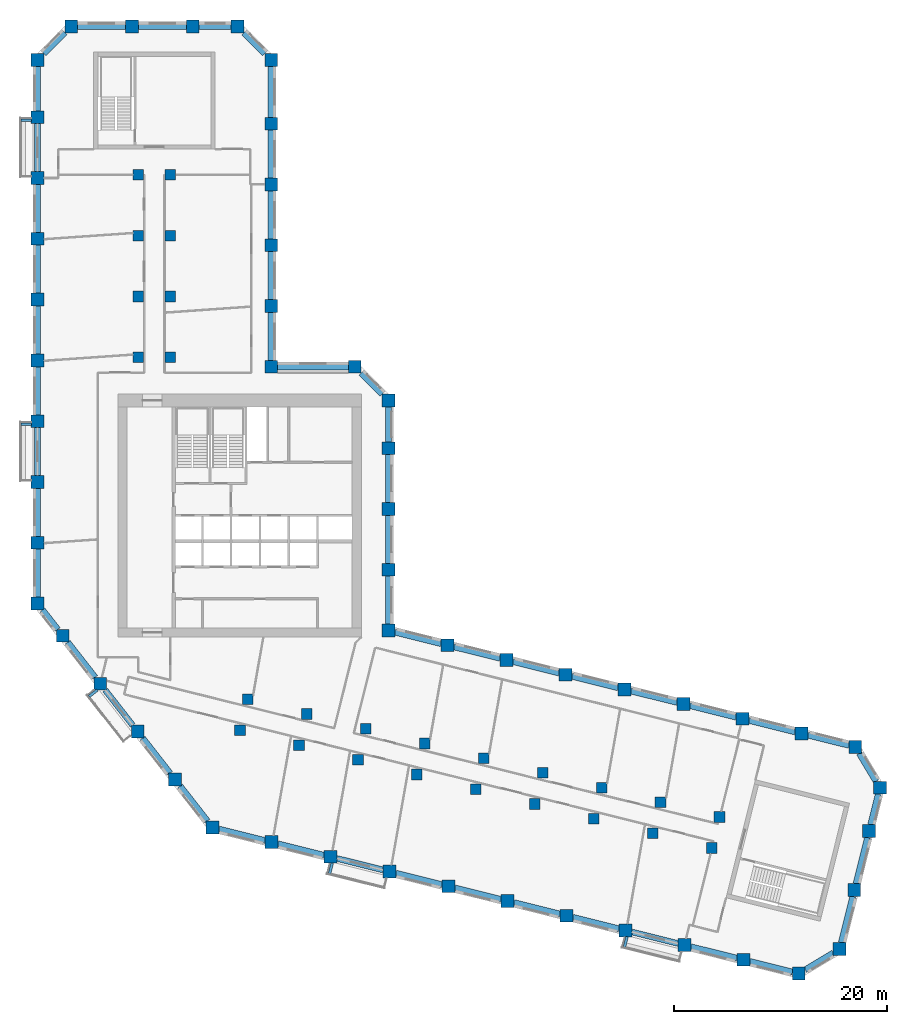
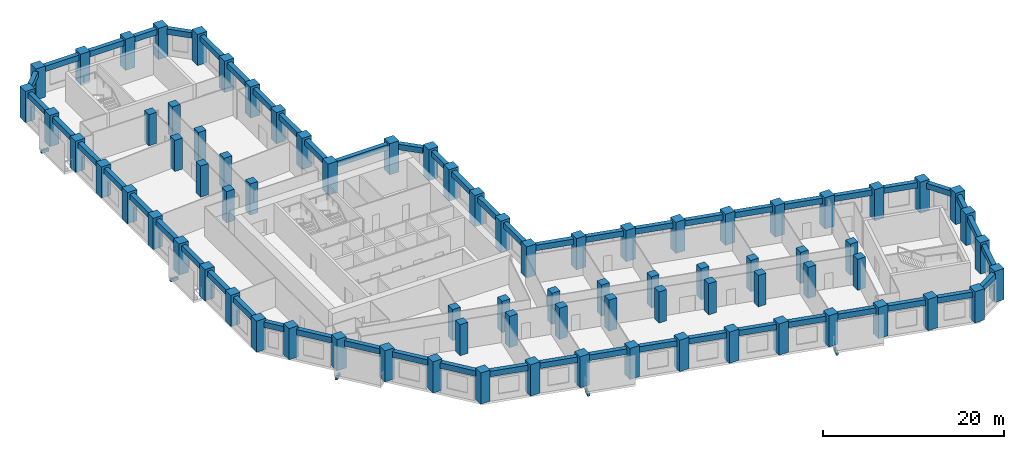
# One storey, part 1 of 10: 79 columns, 58 beams.
"""IFC4 building model written with IfcOpenShell, lengths in metres."""

from ifc_helpers import new_model, si_unit, direction, frame, origin, origin_2d, place, context, subcontext, project, spatial, rectangle, extrude, material, material_profile, profile_set, type_object, element, save


model = new_model("IFC4")

# Units and contexts
model_context = context("Model", 3, precision=1e-05, world=origin(), true_north=direction((0.0, 1.0)))
body_context = subcontext(model_context, "Body", "Model", "MODEL_VIEW")
ifc_project = project(units=[si_unit("LENGTHUNIT", "METRE"), si_unit("AREAUNIT", "SQUARE_METRE"), si_unit("VOLUMEUNIT", "CUBIC_METRE"), si_unit("PLANEANGLEUNIT", "RADIAN"), si_unit("MASSUNIT", "GRAM", prefix="KILO")], contexts=[model_context])

# Site, building, storey
site_placement = place(None, origin())
site = spatial("IfcSite", under=ifc_project, at=site_placement, CompositionType="ELEMENT")
building_placement = place(site_placement, origin())
building = spatial("IfcBuilding", under=site, at=building_placement, Name="Meshkara Civic Tower", CompositionType="ELEMENT")
storey_placement = place(building_placement, frame((0.0, 0.0, 203.39990234375)))
storey = spatial("IfcBuildingStorey", under=building, at=storey_placement, Name="L46", CompositionType="ELEMENT", Elevation=203.39990234375)

# Columns
ifc_material_1 = material(Name="Concrete C70", Category="concrete")
ifc_material_profile_1 = material_profile(ifc_material_1, rectangle(XDim=1.0, YDim=1.0, at=origin_2d()))
ifc_profile_set_1 = profile_set([ifc_material_profile_1], Name="Concrete C70")
column_type_1 = type_object("IfcColumnType", Name="Interior column RC 1000x1000 C70", PredefinedType="COLUMN", material=ifc_profile_set_1)
for number, where, z_axis, x_axis, name in (
    (1, (9.89990234375, 40.35009765625, 0.0), (0.0, 0.0, 1.0), (1.0, 0.0, 0.0), "Column SA1-04 L46"),
    (2, (9.89990234375, 46.050048828125, 0.0), (0.0, 0.0, 1.0), (1.0, 0.0, 0.0), "Column SA1-05 L46"),
    (3, (9.89990234375, 51.75, 0.0), (0.0, 0.0, 1.0), (1.0, 0.0, 0.0), "Column SA1-06 L46"),
    (4, (9.89990234375, 57.449951171875, 0.0), (0.0, 0.0, 1.0), (1.0, 0.0, 0.0), "Column SA1-07 L46"),
    (5, (12.89990234375, 40.35009765625, 0.0), (0.0, 0.0, 1.0), (1.0, 0.0, 0.0), "Column SA2-04 L46"),
    (6, (12.89990234375, 46.050048828125, 0.0), (0.0, 0.0, 1.0), (1.0, 0.0, 0.0), "Column SA2-05 L46"),
    (7, (12.89990234375, 51.75, 0.0), (0.0, 0.0, 1.0), (1.0, 0.0, 0.0), "Column SA2-06 L46"),
    (8, (12.89990234375, 57.449951171875, 0.0), (0.0, 0.0, 1.0), (1.0, 0.0, 0.0), "Column SA2-07 L46"),
    (9, (19.424072265625, 5.360107421875, 0.0), (0.0, 0.0, 1.0), (1.0, 0.0, 0.0), "Column SB1-00 L46"),
    (10, (24.9541015625, 3.98095703125, 0.0), (0.0, 0.0, 1.0), (1.0, 0.0, 0.0), "Column SB1-01 L46"),
    (11, (30.485107421875, 2.60205078125, 0.0), (0.0, 0.0, 1.0), (1.0, 0.0, 0.0), "Column SB1-02 L46"),
    (12, (36.01611328125, 1.222900390625, 0.0), (0.0, 0.0, 1.0), (1.0, 0.0, 0.0), "Column SB1-03 L46"),
    (13, (41.5458984375, -0.156005859375, 0.0), (0.0, 0.0, 1.0), (1.0, 0.0, 0.0), "Column SB1-04 L46"),
    (14, (47.076904296875, -1.534912109375, 0.0), (0.0, 0.0, 1.0), (1.0, 0.0, 0.0), "Column SB1-05 L46"),
    (15, (52.60791015625, -2.9140625, 0.0), (0.0, 0.0, 1.0), (1.0, 0.0, 0.0), "Column SB1-06 L46"),
    (16, (58.138916015625, -4.2919921875, 0.0), (0.0, 0.0, 1.0), (1.0, 0.0, 0.0), "Column SB1-07 L46"),
    (17, (63.6689453125, -5.6708984375, 0.0), (0.0, 0.0, 1.0), (1.0, 0.0, 0.0), "Column SB1-08 L46"),
    (18, (20.14892578125, 8.27099609375, 0.0), (0.0, 0.0, 1.0), (1.0, 0.0, 0.0), "Column SB2-00 L46"),
    (19, (25.679931640625, 6.89208984375, 0.0), (0.0, 0.0, 1.0), (1.0, 0.0, 0.0), "Column SB2-01 L46"),
    (20, (31.2109375, 5.512939453125, 0.0), (0.0, 0.0, 1.0), (1.0, 0.0, 0.0), "Column SB2-02 L46"),
    (21, (36.741943359375, 4.134033203125, 0.0), (0.0, 0.0, 1.0), (1.0, 0.0, 0.0), "Column SB2-03 L46"),
    (22, (42.27197265625, 2.7548828125, 0.0), (0.0, 0.0, 1.0), (1.0, 0.0, 0.0), "Column SB2-04 L46"),
    (23, (47.802978515625, 1.3759765625, 0.0), (0.0, 0.0, 1.0), (1.0, 0.0, 0.0), "Column SB2-05 L46"),
    (24, (53.333984375, -0.0029296875, 0.0), (0.0, 0.0, 1.0), (1.0, 0.0, 0.0), "Column SB2-06 L46"),
    (25, (58.864013671875, -1.382080078125, 0.0), (0.0, 0.0, 1.0), (1.0, 0.0, 0.0), "Column SB2-07 L46"),
    (26, (64.39501953125, -2.760986328125, 0.0), (0.0, 0.0, 1.0), (1.0, 0.0, 0.0), "Column SB2-08 L46"),
):
    element("IfcColumn", number, at=place(storey_placement, frame(where, z_axis=z_axis, x_axis=x_axis)), inside=storey, type_object=column_type_1, Name=name, PredefinedType="COLUMN", context=body_context, shape_type="SweptSolid", body=[
        extrude(rectangle(XDim=1.0, YDim=1.0, at=origin_2d()), origin(), (0.0, 0.0, 1.0), 4.2001953125),
    ])
ifc_material_2 = material(Name="Concrete C70", Category="concrete")
ifc_material_profile_2 = material_profile(ifc_material_2, rectangle(XDim=1.199951171875, YDim=1.199951171875, at=origin_2d()))
ifc_profile_set_2 = profile_set([ifc_material_profile_2], Name="Concrete C70")
column_type_2 = type_object("IfcColumnType", Name="Perimeter column RC 1200x1200 C70", PredefinedType="COLUMN", material=ifc_profile_set_2)
for number, where, z_axis, x_axis, name in (
    (27, (33.35009765625, 14.718994140625, 0.0), (0.0, 0.0, 1.0), (1.0, 0.0, 0.0), "Column HE00 L46"),
    (28, (33.35009765625, 20.4189453125, 0.0), (0.0, 0.0, 1.0), (1.0, 0.0, 0.0), "Column HE01 L46"),
    (29, (33.35009765625, 26.118896484375, 0.0), (0.0, 0.0, 1.0), (1.0, 0.0, 0.0), "Column HE02 L46"),
    (30, (33.35009765625, 31.819091796875, 0.0), (0.0, 0.0, 1.0), (1.0, 0.0, 0.0), "Column HE03 L46"),
    (31, (33.35009765625, 36.2939453125, 0.0), (0.0, 0.0, 1.0), (1.0, 0.0, 0.0), "Column HEE L46"),
    (32, (30.194091796875, 39.449951171875, 0.0), (0.0, 0.0, 1.0), (1.0, 0.0, 0.0), "Column HCeE L46"),
    (33, (22.35009765625, 39.449951171875, 0.0), (0.0, 0.0, 1.0), (1.0, 0.0, 0.0), "Column HN00 L46"),
    (34, (22.35009765625, 45.14990234375, 0.0), (0.0, 0.0, 1.0), (1.0, 0.0, 0.0), "Column AE01 L46"),
    (35, (22.35009765625, 50.85009765625, 0.0), (0.0, 0.0, 1.0), (1.0, 0.0, 0.0), "Column AE02 L46"),
    (36, (22.35009765625, 56.550048828125, 0.0), (0.0, 0.0, 1.0), (1.0, 0.0, 0.0), "Column AE03 L46"),
    (37, (22.35009765625, 62.25, 0.0), (0.0, 0.0, 1.0), (1.0, 0.0, 0.0), "Column AE04 L46"),
    (38, (22.35009765625, 68.214111328125, 0.0), (0.0, 0.0, 1.0), (1.0, 0.0, 0.0), "Column AEEP2 L46"),
    (39, (19.194091796875, 71.3701171875, 0.0), (0.0, 0.0, 1.0), (1.0, 0.0, 0.0), "Column ATiEP2 L46"),
    (40, (3.60595703125, 71.3701171875, 0.0), (0.0, 0.0, 1.0), (1.0, 0.0, 0.0), "Column AT00-P2 L46"),
    (41, (9.305908203125, 71.3701171875, 0.0), (0.0, 0.0, 1.0), (1.0, 0.0, 0.0), "Column AT01-P2 L46"),
    (42, (15.006103515625, 71.3701171875, 0.0), (0.0, 0.0, 1.0), (1.0, 0.0, 0.0), "Column AT02-P2 L46"),
    (43, (0.449951171875, 68.214111328125, 0.0), (0.0, 0.0, 1.0), (1.0, 0.0, 0.0), "Column ATo00-P2 L46"),
    (44, (0.449951171875, 17.2548828125, 0.0), (0.0, 0.0, 1.0), (1.0, 0.0, 0.0), "Column AW00 L46"),
    (45, (0.449951171875, 22.955078125, 0.0), (0.0, 0.0, 1.0), (1.0, 0.0, 0.0), "Column AW01 L46"),
    (46, (0.449951171875, 28.655029296875, 0.0), (0.0, 0.0, 1.0), (1.0, 0.0, 0.0), "Column AW02 L46"),
    (47, (0.449951171875, 34.35498046875, 0.0), (0.0, 0.0, 1.0), (1.0, 0.0, 0.0), "Column AW03 L46"),
    (48, (0.449951171875, 40.054931640625, 0.0), (0.0, 0.0, 1.0), (1.0, 0.0, 0.0), "Column AW04 L46"),
    (49, (0.449951171875, 45.7548828125, 0.0), (0.0, 0.0, 1.0), (1.0, 0.0, 0.0), "Column AW05 L46"),
    (50, (0.449951171875, 51.455078125, 0.0), (0.0, 0.0, 1.0), (1.0, 0.0, 0.0), "Column AW06 L46"),
    (51, (0.449951171875, 57.155029296875, 0.0), (0.0, 0.0, 1.0), (1.0, 0.0, 0.0), "Column AW07 L46"),
    (52, (0.449951171875, 62.85498046875, 0.0), (0.0, 0.0, 1.0), (1.0, 0.0, 0.0), "Column AW08 L46"),
    (53, (16.85107421875, -3.738037109375, 0.0), (0.0, 0.0, 1.0), (1.0, 0.0, 0.0), "Column BOW00 L46"),
    (54, (13.342041015625, 0.75390625, 0.0), (0.0, 0.0, 1.0), (1.0, 0.0, 0.0), "Column BOW01 L46"),
    (55, (9.8330078125, 5.2451171875, 0.0), (0.0, 0.0, 1.0), (1.0, 0.0, 0.0), "Column BOW02 L46"),
    (56, (6.322998046875, 9.737060546875, 0.0), (0.0, 0.0, 1.0), (1.0, 0.0, 0.0), "Column BOW03 L46"),
    (57, (2.81396484375, 14.22900390625, 0.0), (0.0, 0.0, 1.0), (1.0, 0.0, 0.0), "Column BOW04 L46"),
    (58, (22.382080078125, -5.116943359375, 0.0), (0.0, 0.0, 1.0), (1.0, 0.0, 0.0), "Column BS01 L46"),
    (59, (27.912109375, -6.49609375, 0.0), (0.0, 0.0, 1.0), (1.0, 0.0, 0.0), "Column BS02 L46"),
    (60, (33.443115234375, -7.875, 0.0), (0.0, 0.0, 1.0), (1.0, 0.0, 0.0), "Column BS03 L46"),
    (61, (38.97412109375, -9.2529296875, 0.0), (0.0, 0.0, 1.0), (1.0, 0.0, 0.0), "Column BS04-P1 L46"),
    (62, (44.5048828125, -10.632080078125, 0.0), (0.0, 0.0, 1.0), (1.0, 0.0, 0.0), "Column BS05 L46"),
    (63, (50.034912109375, -12.010986328125, 0.0), (0.0, 0.0, 1.0), (1.0, 0.0, 0.0), "Column BS06 L46"),
    (64, (55.56591796875, -13.389892578125, 0.0), (0.0, 0.0, 1.0), (1.0, 0.0, 0.0), "Column BS07 L46"),
    (65, (61.096923828125, -14.76904296875, 0.0), (0.0, 0.0, 1.0), (1.0, 0.0, 0.0), "Column BS08 L46"),
    (66, (66.626953125, -16.14794921875, 0.0), (0.0, 0.0, 1.0), (1.0, 0.0, 0.0), "Column BS09 L46"),
    (67, (71.826904296875, -17.444091796875, 0.0), (0.0, 0.0, 1.0), (1.0, 0.0, 0.0), "Column BSEP2 L46"),
    (68, (75.653076171875, -15.14501953125, 0.0), (0.0, 0.0, 1.0), (1.0, 0.0, 0.0), "Column BToEP2 L46"),
    (69, (77.031982421875, -9.614013671875, 0.0), (0.0, 0.0, 1.0), (1.0, 0.0, 0.0), "Column BT01-P2 L46"),
    (70, (78.410888671875, -4.083984375, 0.0), (0.0, 0.0, 1.0), (1.0, 0.0, 0.0), "Column BT02-P2 L46"),
    (71, (79.424072265625, -0.02099609375, 0.0), (0.0, 0.0, 1.0), (1.0, 0.0, 0.0), "Column BTEP2 L46"),
    (72, (77.125, 3.803955078125, 0.0), (0.0, 0.0, 1.0), (1.0, 0.0, 0.0), "Column BTi00-P2 L46"),
    (73, (38.881103515625, 13.340087890625, 0.0), (0.0, 0.0, 1.0), (1.0, 0.0, 0.0), "Column BN01 L46"),
    (74, (44.410888671875, 11.9609375, 0.0), (0.0, 0.0, 1.0), (1.0, 0.0, 0.0), "Column BN02 L46"),
    (75, (49.94189453125, 10.58203125, 0.0), (0.0, 0.0, 1.0), (1.0, 0.0, 0.0), "Column BN03 L46"),
    (76, (55.472900390625, 9.202880859375, 0.0), (0.0, 0.0, 1.0), (1.0, 0.0, 0.0), "Column BN04 L46"),
    (77, (61.0029296875, 7.823974609375, 0.0), (0.0, 0.0, 1.0), (1.0, 0.0, 0.0), "Column BN05 L46"),
    (78, (66.533935546875, 6.445068359375, 0.0), (0.0, 0.0, 1.0), (1.0, 0.0, 0.0), "Column BN06 L46"),
    (79, (72.06494140625, 5.06591796875, 0.0), (0.0, 0.0, 1.0), (1.0, 0.0, 0.0), "Column BN07 L46"),
):
    element("IfcColumn", number, at=place(storey_placement, frame(where, z_axis=z_axis, x_axis=x_axis)), inside=storey, type_object=column_type_2, Name=name, PredefinedType="COLUMN", context=body_context, shape_type="SweptSolid", body=[
        extrude(rectangle(XDim=1.199951171875, YDim=1.199951171875, at=origin_2d()), origin(), (0.0, 0.0, 1.0), 4.2001953125),
    ])

# Beams
ifc_material_3 = material(Name="Concrete C50", Category="concrete")
ifc_material_profile_3 = material_profile(ifc_material_3, rectangle(XDim=0.25, YDim=0.39990234375, at=origin_2d()))
ifc_profile_set_3 = profile_set([ifc_material_profile_3], Name="Concrete C50")
beam_type_1 = type_object("IfcBeamType", Name="Balcony bracket beam RC 250x400 C50", PredefinedType="BEAM", material=ifc_profile_set_3)
for number, where, z_axis, x_axis, name in (
    (80, (-0.14501953125, 62.554931640625, -0.5), (-1.0, 0.0, 0.0), (0.0, -1.0, 0.0), "Balcony bracket beam"),
    (81, (-0.14501953125, 34.054931640625, -0.5), (-1.0, 0.0, 0.0), (0.0, -1.0, 0.0), "Balcony bracket beam"),
):
    element("IfcBeam", number, at=place(storey_placement, frame(where, z_axis=z_axis, x_axis=x_axis)), inside=storey, type_object=beam_type_1, Name=name, PredefinedType="BEAM", context=body_context, shape_type="SweptSolid", body=[
        extrude(rectangle(XDim=0.25, YDim=0.39990234375, at=origin_2d()), origin(), (0.0, 0.0, 1.0), 0.955078125),
    ])
beam_1_placement = place(storey_placement, frame((6.0458984375, 9.139892578125, -0.5), z_axis=(-0.788039749588, -0.61562436036, 0.0), x_axis=(0.61562436036, -0.788039749588, 0.0)))
element("IfcBeam", 82, at=beam_1_placement, inside=storey, type_object=beam_type_1, Name="Balcony bracket beam", PredefinedType="BEAM", context=body_context, shape_type="SweptSolid", body=[
    extrude(rectangle(XDim=0.25, YDim=0.39990234375, at=origin_2d()), origin(), (0.0, 0.0, 1.0), 0.962890625),
])
beam_2_placement = place(storey_placement, frame((28.072998046875, -7.091064453125, -0.5), z_axis=(-0.242421996939, -0.9701709001, 0.0), x_axis=(0.9701709001, -0.242421996939, 0.0)))
element("IfcBeam", 83, at=beam_2_placement, inside=storey, type_object=beam_type_1, Name="Balcony bracket beam", PredefinedType="BEAM", context=body_context, shape_type="SweptSolid", body=[
    extrude(rectangle(XDim=0.25, YDim=0.39990234375, at=origin_2d()), origin(), (0.0, 0.0, 1.0), 1.01123046875),
])
beam_3_placement = place(storey_placement, frame((55.72705078125, -13.985107421875, -0.5), z_axis=(-0.24219504991, -0.970227580416, 0.0), x_axis=(0.970227580416, -0.24219504991, 0.0)))
element("IfcBeam", 84, at=beam_3_placement, inside=storey, type_object=beam_type_1, Name="Balcony bracket beam", PredefinedType="BEAM", context=body_context, shape_type="SweptSolid", body=[
    extrude(rectangle(XDim=0.25, YDim=0.39990234375, at=origin_2d()), origin(), (0.0, 0.0, 1.0), 1.011962890625),
])
ifc_material_4 = material(Name="Concrete C60", Category="concrete")
ifc_material_profile_4 = material_profile(ifc_material_4, rectangle(XDim=0.550048828125, YDim=0.75, at=origin_2d()))
ifc_profile_set_4 = profile_set([ifc_material_profile_4], Name="Concrete C60")
beam_type_2 = type_object("IfcBeamType", Name="Spandrel beam RC 550x750 C60", PredefinedType="BEAM", material=ifc_profile_set_4)
for number, where, z_axis, x_axis, name in (
    (85, (71.469970703125, 5.21435546875, 3.525146484375), (-0.970296390995, 0.241919229543, 0.0), (-0.241919229543, -0.970296390995, 0.0), "Spandrel beam BN06-BN07"),
    (86, (65.93896484375, 6.593505859375, 3.525146484375), (-0.970309199754, 0.241867850018, 0.0), (-0.241867850018, -0.970309199754, 0.0), "Spandrel beam BN05-BN06"),
):
    element("IfcBeam", number, at=place(storey_placement, frame(where, z_axis=z_axis, x_axis=x_axis)), inside=storey, type_object=beam_type_2, Name=name, PredefinedType="BEAM", context=body_context, shape_type="SweptSolid", body=[
        extrude(rectangle(XDim=0.550048828125, YDim=0.75, at=origin_2d()), origin(), (0.0, 0.0, 1.0), 4.4736328125),
    ])
beam_4_placement = place(storey_placement, frame((60.407958984375, 7.972412109375, 3.525146484375), z_axis=(-0.970283611566, 0.241970479865, 0.0), x_axis=(-0.241970479865, -0.970283611566, 0.0)))
element("IfcBeam", 87, at=beam_4_placement, inside=storey, type_object=beam_type_2, Name="Spandrel beam BN04-BN05", PredefinedType="BEAM", context=body_context, shape_type="SweptSolid", body=[
    extrude(rectangle(XDim=0.550048828125, YDim=0.75, at=origin_2d()), origin(), (0.0, 0.0, 1.0), 4.47265625),
])
for number, where, z_axis, x_axis, name in (
    (88, (54.8779296875, 9.351318359375, 3.525146484375), (-0.970296390995, 0.241919229543, 0.0), (-0.241919229543, -0.970296390995, 0.0), "Spandrel beam BN03-BN04"),
    (89, (49.346923828125, 10.73046875, 3.525146484375), (-0.970309199754, 0.241867850018, 0.0), (-0.241867850018, -0.970309199754, 0.0), "Spandrel beam BN02-BN03"),
):
    element("IfcBeam", number, at=place(storey_placement, frame(where, z_axis=z_axis, x_axis=x_axis)), inside=storey, type_object=beam_type_2, Name=name, PredefinedType="BEAM", context=body_context, shape_type="SweptSolid", body=[
        extrude(rectangle(XDim=0.550048828125, YDim=0.75, at=origin_2d()), origin(), (0.0, 0.0, 1.0), 4.4736328125),
    ])
beam_5_placement = place(storey_placement, frame((43.81591796875, 12.109375, 3.525146484375), z_axis=(-0.970283611566, 0.241970479865, 0.0), x_axis=(-0.241970479865, -0.970283611566, 0.0)))
element("IfcBeam", 90, at=beam_5_placement, inside=storey, type_object=beam_type_2, Name="Spandrel beam BN01-BN02", PredefinedType="BEAM", context=body_context, shape_type="SweptSolid", body=[
    extrude(rectangle(XDim=0.550048828125, YDim=0.75, at=origin_2d()), origin(), (0.0, 0.0, 1.0), 4.47265625),
])
beam_6_placement = place(storey_placement, frame((38.285888671875, 13.48828125, 3.525146484375), z_axis=(-0.970296390995, 0.241919229543, 0.0), x_axis=(-0.241919229543, -0.970296390995, 0.0)))
element("IfcBeam", 91, at=beam_6_placement, inside=storey, type_object=beam_type_2, Name="Spandrel beam BN01-HE00", PredefinedType="BEAM", context=body_context, shape_type="SweptSolid", body=[
    extrude(rectangle(XDim=0.550048828125, YDim=0.75, at=origin_2d()), origin(), (0.0, 0.0, 1.0), 4.4736328125),
])
for number, where, z_axis, x_axis, name in (
    (92, (33.35009765625, 15.31396484375, 3.525146484375), (0.0, 1.0, 0.0), (-1.0, 0.0, 0.0), "Spandrel beam HE00-HE01"),
    (93, (33.35009765625, 21.013916015625, 3.525146484375), (0.0, 1.0, 0.0), (-1.0, 0.0, 0.0), "Spandrel beam HE01-HE02"),
    (94, (33.35009765625, 26.714111328125, 3.525146484375), (0.0, 1.0, 0.0), (-1.0, 0.0, 0.0), "Spandrel beam HE02-HE03"),
):
    element("IfcBeam", number, at=place(storey_placement, frame(where, z_axis=z_axis, x_axis=x_axis)), inside=storey, type_object=beam_type_2, Name=name, PredefinedType="BEAM", context=body_context, shape_type="SweptSolid", body=[
        extrude(rectangle(XDim=0.550048828125, YDim=0.75, at=origin_2d()), origin(), (0.0, 0.0, 1.0), 4.510009765625),
    ])
beam_7_placement = place(storey_placement, frame((33.35009765625, 32.4140625, 3.525146484375), z_axis=(0.0, 1.0, 0.0), x_axis=(-1.0, 0.0, 0.0)))
element("IfcBeam", 95, at=beam_7_placement, inside=storey, type_object=beam_type_2, Name="Spandrel beam HE03-HEE", PredefinedType="BEAM", context=body_context, shape_type="SweptSolid", body=[
    extrude(rectangle(XDim=0.550048828125, YDim=0.75, at=origin_2d()), origin(), (0.0, 0.0, 1.0), 3.284912109375),
])
beam_8_placement = place(storey_placement, frame((32.75341796875, 36.890380859375, 3.525146484375), z_axis=(-0.707062808252, 0.707150751387, 0.0), x_axis=(-0.707150751387, -0.707062808252, 0.0)))
element("IfcBeam", 96, at=beam_8_placement, inside=storey, type_object=beam_type_2, Name="Spandrel beam HCeE-HEE", PredefinedType="BEAM", context=body_context, shape_type="SweptSolid", body=[
    extrude(rectangle(XDim=0.550048828125, YDim=0.75, at=origin_2d()), origin(), (0.0, 0.0, 1.0), 2.776123046875),
])
beam_9_placement = place(storey_placement, frame((29.59912109375, 39.449951171875, 3.525146484375), z_axis=(-1.0, 0.0, 0.0), x_axis=(0.0, -1.0, 0.0)))
element("IfcBeam", 97, at=beam_9_placement, inside=storey, type_object=beam_type_2, Name="Spandrel beam HCeE-HN00", PredefinedType="BEAM", context=body_context, shape_type="SweptSolid", body=[
    extrude(rectangle(XDim=0.550048828125, YDim=0.75, at=origin_2d()), origin(), (0.0, 0.0, 1.0), 6.654052734375),
])
beam_10_placement = place(storey_placement, frame((22.35009765625, 40.044921875, 3.525146484375), z_axis=(0.0, 1.0, 0.0), x_axis=(-1.0, 0.0, 0.0)))
element("IfcBeam", 98, at=beam_10_placement, inside=storey, type_object=beam_type_2, Name="Spandrel beam AE01-HN00", PredefinedType="BEAM", context=body_context, shape_type="SweptSolid", body=[
    extrude(rectangle(XDim=0.550048828125, YDim=0.75, at=origin_2d()), origin(), (0.0, 0.0, 1.0), 4.510009765625),
])
beam_11_placement = place(storey_placement, frame((22.35009765625, 45.7451171875, 3.525146484375), z_axis=(0.0, 1.0, 0.0), x_axis=(-1.0, 0.0, 0.0)))
element("IfcBeam", 99, at=beam_11_placement, inside=storey, type_object=beam_type_2, Name="Spandrel beam AE01-AE02", PredefinedType="BEAM", context=body_context, shape_type="SweptSolid", body=[
    extrude(rectangle(XDim=0.550048828125, YDim=0.75, at=origin_2d()), origin(), (0.0, 0.0, 1.0), 4.509765625),
])
for number, where, z_axis, x_axis, name in (
    (100, (22.35009765625, 51.445068359375, 3.525146484375), (0.0, 1.0, 0.0), (-1.0, 0.0, 0.0), "Spandrel beam AE02-AE03"),
    (101, (22.35009765625, 57.14501953125, 3.525146484375), (0.0, 1.0, 0.0), (-1.0, 0.0, 0.0), "Spandrel beam AE03-AE04"),
):
    element("IfcBeam", number, at=place(storey_placement, frame(where, z_axis=z_axis, x_axis=x_axis)), inside=storey, type_object=beam_type_2, Name=name, PredefinedType="BEAM", context=body_context, shape_type="SweptSolid", body=[
        extrude(rectangle(XDim=0.550048828125, YDim=0.75, at=origin_2d()), origin(), (0.0, 0.0, 1.0), 4.510009765625),
    ])
beam_12_placement = place(storey_placement, frame((22.35009765625, 62.844970703125, 3.525146484375), z_axis=(0.0, 1.0, 0.0), x_axis=(-1.0, 0.0, 0.0)))
element("IfcBeam", 102, at=beam_12_placement, inside=storey, type_object=beam_type_2, Name="Spandrel beam AE04-AEEP2", PredefinedType="BEAM", context=body_context, shape_type="SweptSolid", body=[
    extrude(rectangle(XDim=0.550048828125, YDim=0.75, at=origin_2d()), origin(), (0.0, 0.0, 1.0), 4.77392578125),
])
beam_13_placement = place(storey_placement, frame((21.75341796875, 68.810546875, 3.525146484375), z_axis=(-0.707106781187, 0.707106781187, 0.0), x_axis=(-0.707106781187, -0.707106781187, 0.0)))
element("IfcBeam", 103, at=beam_13_placement, inside=storey, type_object=beam_type_2, Name="Spandrel beam AEEP2-ATiEP2", PredefinedType="BEAM", context=body_context, shape_type="SweptSolid", body=[
    extrude(rectangle(XDim=0.550048828125, YDim=0.75, at=origin_2d()), origin(), (0.0, 0.0, 1.0), 2.77587890625),
])
beam_14_placement = place(storey_placement, frame((18.59912109375, 71.3701171875, 3.525146484375), z_axis=(-1.0, 0.0, 0.0), x_axis=(0.0, -1.0, 0.0)))
element("IfcBeam", 104, at=beam_14_placement, inside=storey, type_object=beam_type_2, Name="Spandrel beam AT02-P2-ATiEP2", PredefinedType="BEAM", context=body_context, shape_type="SweptSolid", body=[
    extrude(rectangle(XDim=0.550048828125, YDim=0.75, at=origin_2d()), origin(), (0.0, 0.0, 1.0), 2.998046875),
])
for number, where, z_axis, x_axis, name in (
    (105, (14.410888671875, 71.3701171875, 3.525146484375), (-1.0, 0.0, 0.0), (0.0, -1.0, 0.0), "Spandrel beam AT01-P2-AT02-P2"),
    (106, (8.7109375, 71.3701171875, 3.525146484375), (-1.0, 0.0, 0.0), (0.0, -1.0, 0.0), "Spandrel beam AT00-P2-AT01-P2"),
):
    element("IfcBeam", number, at=place(storey_placement, frame(where, z_axis=z_axis, x_axis=x_axis)), inside=storey, type_object=beam_type_2, Name=name, PredefinedType="BEAM", context=body_context, shape_type="SweptSolid", body=[
        extrude(rectangle(XDim=0.550048828125, YDim=0.75, at=origin_2d()), origin(), (0.0, 0.0, 1.0), 4.510009765625),
    ])
beam_15_placement = place(storey_placement, frame((3.009521484375, 70.7734375, 3.525146484375), z_axis=(-0.707150751387, -0.707062808252, 0.0), x_axis=(0.707062808252, -0.707150751387, 0.0)))
element("IfcBeam", 107, at=beam_15_placement, inside=storey, type_object=beam_type_2, Name="Spandrel beam AT00-P2-ATo00-P2", PredefinedType="BEAM", context=body_context, shape_type="SweptSolid", body=[
    extrude(rectangle(XDim=0.550048828125, YDim=0.75, at=origin_2d()), origin(), (0.0, 0.0, 1.0), 2.776123046875),
])
beam_16_placement = place(storey_placement, frame((0.449951171875, 67.618896484375, 3.525146484375), z_axis=(0.0, -1.0, 0.0), x_axis=(1.0, 0.0, 0.0)))
element("IfcBeam", 108, at=beam_16_placement, inside=storey, type_object=beam_type_2, Name="Spandrel beam ATo00-P2-AW08", PredefinedType="BEAM", context=body_context, shape_type="SweptSolid", body=[
    extrude(rectangle(XDim=0.550048828125, YDim=0.75, at=origin_2d()), origin(), (0.0, 0.0, 1.0), 4.1689453125),
])
for number, where, z_axis, x_axis, name in (
    (109, (0.449951171875, 62.260009765625, 3.525146484375), (0.0, -1.0, 0.0), (1.0, 0.0, 0.0), "Spandrel beam AW07-AW08"),
    (110, (0.449951171875, 56.56005859375, 3.525146484375), (0.0, -1.0, 0.0), (1.0, 0.0, 0.0), "Spandrel beam AW06-AW07"),
    (111, (0.449951171875, 50.860107421875, 3.525146484375), (0.0, -1.0, 0.0), (1.0, 0.0, 0.0), "Spandrel beam AW05-AW06"),
    (112, (0.449951171875, 45.159912109375, 3.525146484375), (0.0, -1.0, 0.0), (1.0, 0.0, 0.0), "Spandrel beam AW04-AW05"),
    (113, (0.449951171875, 39.4599609375, 3.525146484375), (0.0, -1.0, 0.0), (1.0, 0.0, 0.0), "Spandrel beam AW03-AW04"),
    (114, (0.449951171875, 33.760009765625, 3.525146484375), (0.0, -1.0, 0.0), (1.0, 0.0, 0.0), "Spandrel beam AW02-AW03"),
    (115, (0.449951171875, 28.06005859375, 3.525146484375), (0.0, -1.0, 0.0), (1.0, 0.0, 0.0), "Spandrel beam AW01-AW02"),
    (116, (0.449951171875, 22.360107421875, 3.525146484375), (0.0, -1.0, 0.0), (1.0, 0.0, 0.0), "Spandrel beam AW00-AW01"),
):
    element("IfcBeam", number, at=place(storey_placement, frame(where, z_axis=z_axis, x_axis=x_axis)), inside=storey, type_object=beam_type_2, Name=name, PredefinedType="BEAM", context=body_context, shape_type="SweptSolid", body=[
        extrude(rectangle(XDim=0.550048828125, YDim=0.75, at=origin_2d()), origin(), (0.0, 0.0, 1.0), 4.510009765625),
    ])
beam_17_placement = place(storey_placement, frame((0.915771484375, 16.658935546875, 3.525146484375), z_axis=(0.615646077935, -0.788022783124, 0.0), x_axis=(0.788022783124, 0.615646077935, 0.0)))
element("IfcBeam", 117, at=beam_17_placement, inside=storey, type_object=beam_type_2, Name="Spandrel beam AW00-BOW04", PredefinedType="BEAM", context=body_context, shape_type="SweptSolid", body=[
    extrude(rectangle(XDim=0.550048828125, YDim=0.75, at=origin_2d()), origin(), (0.0, 0.0, 1.0), 2.326904296875),
])
beam_18_placement = place(storey_placement, frame((3.279541015625, 13.6328125, 3.525146484375), z_axis=(0.615630464754, -0.788034980738, 0.0), x_axis=(0.788034980738, 0.615630464754, 0.0)))
element("IfcBeam", 118, at=beam_18_placement, inside=storey, type_object=beam_type_2, Name="Spandrel beam BOW03-BOW04", PredefinedType="BEAM", context=body_context, shape_type="SweptSolid", body=[
    extrude(rectangle(XDim=0.550048828125, YDim=0.75, at=origin_2d()), origin(), (0.0, 0.0, 1.0), 4.1875),
])
beam_19_placement = place(storey_placement, frame((6.788818359375, 9.140869140625, 3.525146484375), z_axis=(0.61570287025, -0.787978410596, 0.0), x_axis=(0.787978410596, 0.61570287025, 0.0)))
element("IfcBeam", 119, at=beam_19_placement, inside=storey, type_object=beam_type_2, Name="Spandrel beam BOW02-BOW03", PredefinedType="BEAM", context=body_context, shape_type="SweptSolid", body=[
    extrude(rectangle(XDim=0.550048828125, YDim=0.75, at=origin_2d()), origin(), (0.0, 0.0, 1.0), 4.187744140625),
])
beam_20_placement = place(storey_placement, frame((10.298583984375, 4.64892578125, 3.525146484375), z_axis=(0.615707413829, -0.787974860358, 0.0), x_axis=(0.787974860358, 0.615707413829, 0.0)))
element("IfcBeam", 120, at=beam_20_placement, inside=storey, type_object=beam_type_2, Name="Spandrel beam BOW01-BOW02", PredefinedType="BEAM", context=body_context, shape_type="SweptSolid", body=[
    extrude(rectangle(XDim=0.550048828125, YDim=0.75, at=origin_2d()), origin(), (0.0, 0.0, 1.0), 4.1865234375),
])
beam_21_placement = place(storey_placement, frame((13.8076171875, 0.157958984375, 3.525146484375), z_axis=(0.615630464754, -0.788034980738, 0.0), x_axis=(0.788034980738, 0.615630464754, 0.0)))
element("IfcBeam", 121, at=beam_21_placement, inside=storey, type_object=beam_type_2, Name="Spandrel beam BOW00-BOW01", PredefinedType="BEAM", context=body_context, shape_type="SweptSolid", body=[
    extrude(rectangle(XDim=0.550048828125, YDim=0.75, at=origin_2d()), origin(), (0.0, 0.0, 1.0), 4.1875),
])
beam_22_placement = place(storey_placement, frame((17.446044921875, -3.886474609375, 3.525146484375), z_axis=(0.970309199754, -0.241867850018, 0.0), x_axis=(0.241867850018, 0.970309199754, 0.0)))
element("IfcBeam", 122, at=beam_22_placement, inside=storey, type_object=beam_type_2, Name="Spandrel beam BOW00-BS01", PredefinedType="BEAM", context=body_context, shape_type="SweptSolid", body=[
    extrude(rectangle(XDim=0.550048828125, YDim=0.75, at=origin_2d()), origin(), (0.0, 0.0, 1.0), 4.4736328125),
])
beam_23_placement = place(storey_placement, frame((22.97705078125, -5.265380859375, 3.525146484375), z_axis=(0.970283611566, -0.241970479865, 0.0), x_axis=(0.241970479865, 0.970283611566, 0.0)))
element("IfcBeam", 123, at=beam_23_placement, inside=storey, type_object=beam_type_2, Name="Spandrel beam BS01-BS02", PredefinedType="BEAM", context=body_context, shape_type="SweptSolid", body=[
    extrude(rectangle(XDim=0.550048828125, YDim=0.75, at=origin_2d()), origin(), (0.0, 0.0, 1.0), 4.47265625),
])
for number, where, z_axis, x_axis, name in (
    (124, (28.507080078125, -6.644287109375, 3.525146484375), (0.970296390995, -0.241919229543, 0.0), (0.241919229543, 0.970296390995, 0.0), "Spandrel beam BS02-BS03"),
    (125, (34.0380859375, -8.023193359375, 3.525146484375), (0.970334810126, -0.241765084863, 0.0), (0.241765084863, 0.970334810126, 0.0), "Spandrel beam BS03-BS04-P1"),
    (126, (39.569091796875, -9.4013671875, 3.525146484375), (0.970296390995, -0.241919229543, 0.0), (0.241919229543, 0.970296390995, 0.0), "Spandrel beam BS04-P1-BS05"),
):
    element("IfcBeam", number, at=place(storey_placement, frame(where, z_axis=z_axis, x_axis=x_axis)), inside=storey, type_object=beam_type_2, Name=name, PredefinedType="BEAM", context=body_context, shape_type="SweptSolid", body=[
        extrude(rectangle(XDim=0.550048828125, YDim=0.75, at=origin_2d()), origin(), (0.0, 0.0, 1.0), 4.4736328125),
    ])
beam_24_placement = place(storey_placement, frame((45.10009765625, -10.780517578125, 3.525146484375), z_axis=(0.970296425585, -0.241919090807, 0.0), x_axis=(0.241919090807, 0.970296425585, 0.0)))
element("IfcBeam", 127, at=beam_24_placement, inside=storey, type_object=beam_type_2, Name="Spandrel beam BS05-BS06", PredefinedType="BEAM", context=body_context, shape_type="SweptSolid", body=[
    extrude(rectangle(XDim=0.550048828125, YDim=0.75, at=origin_2d()), origin(), (0.0, 0.0, 1.0), 4.47265625),
])
for number, where, z_axis, x_axis, name in (
    (128, (50.630126953125, -12.159423828125, 3.525146484375), (0.970296390995, -0.241919229543, 0.0), (0.241919229543, 0.970296390995, 0.0), "Spandrel beam BS06-BS07"),
    (129, (56.1611328125, -13.538330078125, 3.525146484375), (0.970296390995, -0.241919229543, 0.0), (0.241919229543, 0.970296390995, 0.0), "Spandrel beam BS07-BS08"),
):
    element("IfcBeam", number, at=place(storey_placement, frame(where, z_axis=z_axis, x_axis=x_axis)), inside=storey, type_object=beam_type_2, Name=name, PredefinedType="BEAM", context=body_context, shape_type="SweptSolid", body=[
        extrude(rectangle(XDim=0.550048828125, YDim=0.75, at=origin_2d()), origin(), (0.0, 0.0, 1.0), 4.4736328125),
    ])
beam_25_placement = place(storey_placement, frame((61.692138671875, -14.91748046875, 3.525146484375), z_axis=(0.970296425585, -0.241919090807, 0.0), x_axis=(0.241919090807, 0.970296425585, 0.0)))
element("IfcBeam", 130, at=beam_25_placement, inside=storey, type_object=beam_type_2, Name="Spandrel beam BS08-BS09", PredefinedType="BEAM", context=body_context, shape_type="SweptSolid", body=[
    extrude(rectangle(XDim=0.550048828125, YDim=0.75, at=origin_2d()), origin(), (0.0, 0.0, 1.0), 4.47265625),
])
beam_26_placement = place(storey_placement, frame((67.22216796875, -16.29638671875, 3.525146484375), z_axis=(0.970322944839, -0.241812701731, 0.0), x_axis=(0.241812701731, 0.970322944839, 0.0)))
element("IfcBeam", 131, at=beam_26_placement, inside=storey, type_object=beam_type_2, Name="Spandrel beam BS09-BSEP2", PredefinedType="BEAM", context=body_context, shape_type="SweptSolid", body=[
    extrude(rectangle(XDim=0.550048828125, YDim=0.75, at=origin_2d()), origin(), (0.0, 0.0, 1.0), 4.13232421875),
])
beam_27_placement = place(storey_placement, frame((72.422607421875, -17.0859375, 3.525146484375), z_axis=(0.85718440509, 0.515009607358, 0.0), x_axis=(-0.515009607358, 0.85718440509, 0.0)))
element("IfcBeam", 132, at=beam_27_placement, inside=storey, type_object=beam_type_2, Name="Spandrel beam BSEP2-BToEP2", PredefinedType="BEAM", context=body_context, shape_type="SweptSolid", body=[
    extrude(rectangle(XDim=0.550048828125, YDim=0.75, at=origin_2d()), origin(), (0.0, 0.0, 1.0), 3.07373046875),
])
beam_28_placement = place(storey_placement, frame((75.801513671875, -14.5498046875, 3.525146484375), z_axis=(0.241867850018, 0.970309199754, 0.0), x_axis=(-0.970309199754, 0.241867850018, 0.0)))
element("IfcBeam", 133, at=beam_28_placement, inside=storey, type_object=beam_type_2, Name="Spandrel beam BT01-P2-BToEP2", PredefinedType="BEAM", context=body_context, shape_type="SweptSolid", body=[
    extrude(rectangle(XDim=0.550048828125, YDim=0.75, at=origin_2d()), origin(), (0.0, 0.0, 1.0), 4.4736328125),
])
beam_29_placement = place(storey_placement, frame((77.180419921875, -9.018798828125, 3.525146484375), z_axis=(0.241983295733, 0.97028041544, 0.0), x_axis=(-0.97028041544, 0.241983295733, 0.0)))
element("IfcBeam", 134, at=beam_29_placement, inside=storey, type_object=beam_type_2, Name="Spandrel beam BT01-P2-BT02-P2", PredefinedType="BEAM", context=body_context, shape_type="SweptSolid", body=[
    extrude(rectangle(XDim=0.550048828125, YDim=0.75, at=origin_2d()), origin(), (0.0, 0.0, 1.0), 4.472412109375),
])
beam_30_placement = place(storey_placement, frame((78.559326171875, -3.489013671875, 3.525146484375), z_axis=(0.241934114249, 0.970292679743, 0.0), x_axis=(-0.970292679743, 0.241934114249, 0.0)))
element("IfcBeam", 135, at=beam_30_placement, inside=storey, type_object=beam_type_2, Name="Spandrel beam BT02-P2-BTEP2", PredefinedType="BEAM", context=body_context, shape_type="SweptSolid", body=[
    extrude(rectangle(XDim=0.550048828125, YDim=0.75, at=origin_2d()), origin(), (0.0, 0.0, 1.0), 2.960693359375),
])
beam_31_placement = place(storey_placement, frame((79.06591796875, 0.57470703125, 3.525146484375), z_axis=(-0.515126606613, 0.857114099265, 0.0), x_axis=(-0.857114099265, -0.515126606613, 0.0)))
element("IfcBeam", 136, at=beam_31_placement, inside=storey, type_object=beam_type_2, Name="Spandrel beam BTEP2-BTi00-P2", PredefinedType="BEAM", context=body_context, shape_type="SweptSolid", body=[
    extrude(rectangle(XDim=0.550048828125, YDim=0.75, at=origin_2d()), origin(), (0.0, 0.0, 1.0), 3.072509765625),
])
beam_32_placement = place(storey_placement, frame((76.52978515625, 3.952392578125, 3.525146484375), z_axis=(-0.970279182293, 0.241988240227, 0.0), x_axis=(-0.241988240227, -0.970279182293, 0.0)))
element("IfcBeam", 137, at=beam_32_placement, inside=storey, type_object=beam_type_2, Name="Spandrel beam BN07-BTi00-P2", PredefinedType="BEAM", context=body_context, shape_type="SweptSolid", body=[
    extrude(rectangle(XDim=0.550048828125, YDim=0.75, at=origin_2d()), origin(), (0.0, 0.0, 1.0), 3.98828125),
])

save(model, "model.ifc")
